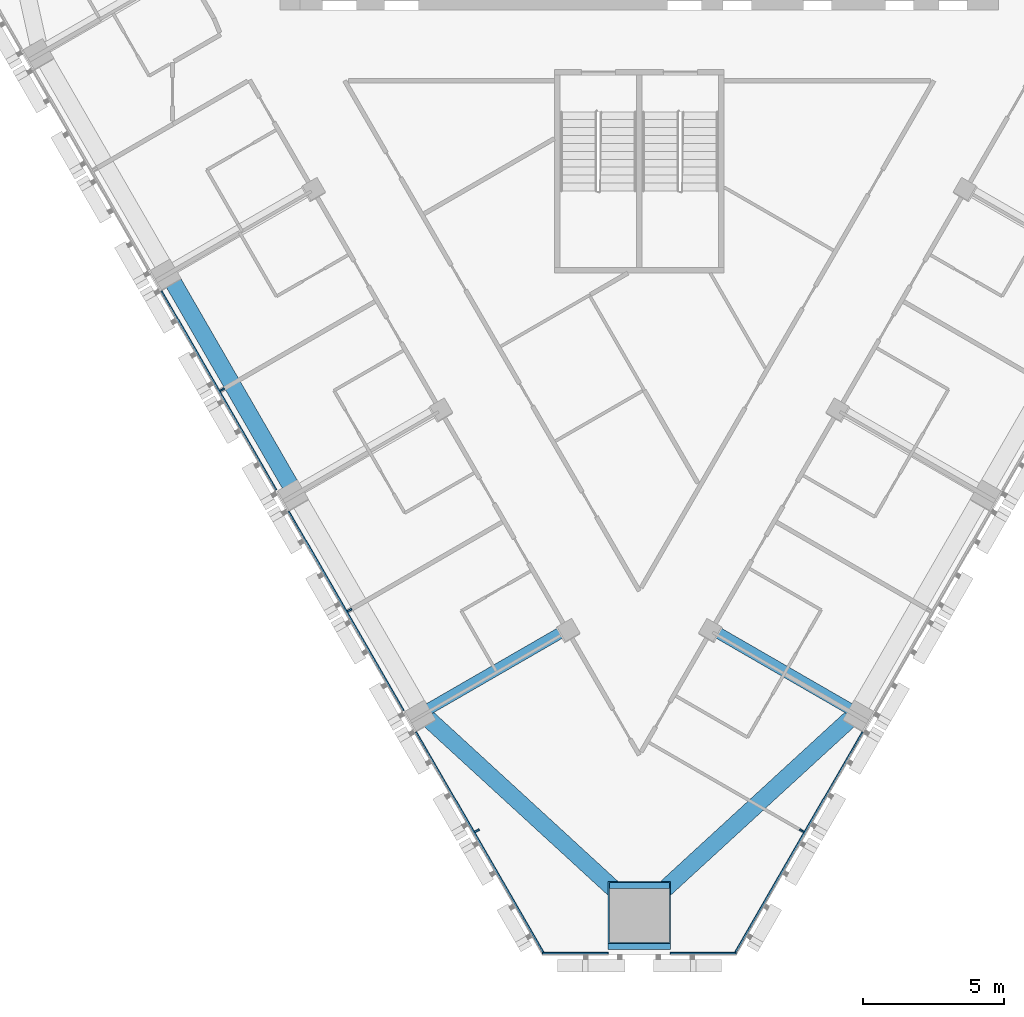
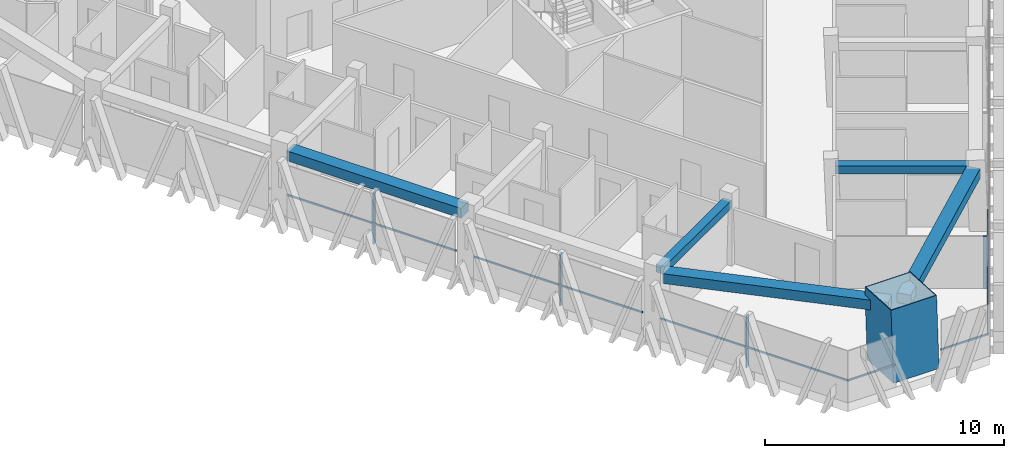
# One storey, part 2 of 16: 11 members, 5 beams, 3 elements without a shape of their own.
"""IFC4 building model written with IfcOpenShell, lengths in metres."""

from ifc_helpers import new_model, si_unit, direction, frame, origin, origin_2d, place, context, subcontext, project, spatial, rectangle, hollow_rectangle, extrude, material, layer, layer_set, material_profile, profile_set, type_object, element, aggregate, save


model = new_model("IFC4")

# Units and contexts
model_context = context("Model", 3, precision=1e-05, world=origin(), true_north=direction((0.0, 1.0)))
body_context = subcontext(model_context, "Body", "Model", "MODEL_VIEW")
ifc_project = project(units=[si_unit("LENGTHUNIT", "METRE"), si_unit("AREAUNIT", "SQUARE_METRE"), si_unit("VOLUMEUNIT", "CUBIC_METRE"), si_unit("PLANEANGLEUNIT", "RADIAN"), si_unit("MASSUNIT", "GRAM", prefix="KILO")], contexts=[model_context])

# Site, building, storey
site_placement = place(None, origin())
site = spatial("IfcSite", under=ifc_project, at=site_placement, CompositionType="ELEMENT")
building_placement = place(site_placement, origin())
building = spatial("IfcBuilding", under=site, at=building_placement, Name="Altiplano Prism Tower", CompositionType="ELEMENT")
storey_placement = place(building_placement, frame((0.0, 0.0, 174.60009765625)))
storey = spatial("IfcBuildingStorey", under=building, at=storey_placement, Name="L45", CompositionType="ELEMENT", Elevation=174.60009765625)

# Curtain wall, members
ifc_material_1 = material(Name="Aluminium and glass", Category="aluminium")
ifc_layer = layer(ifc_material_1, 0.280029296875)
ifc_layer_set = layer_set([ifc_layer], Name="Aluminium and glass")
curtain_wall_type = type_object("IfcCurtainWallType", Name="CW1 typical co-living unitised curtain wall", PredefinedType="NOTDEFINED", material=ifc_layer_set)
curtain_wall_1_placement = place(storey_placement, origin())
curtain_wall_1 = element("IfcCurtainWall", 1, at=curtain_wall_1_placement, inside=storey, type_object=curtain_wall_type, Name="CW1 curtain wall south-west face L45", PredefinedType="NOTDEFINED")
ifc_material_2 = material(Name="Aluminium", Category="aluminium")
ifc_material_profile_1 = material_profile(ifc_material_2, rectangle(XDim=0.179931640625, YDim=0.06494140625, at=origin_2d()), Name="CW1 mullion 65 x 180")
ifc_profile_set_1 = profile_set([ifc_material_profile_1], Name="Aluminium")
member_type_1 = type_object("IfcMemberType", Name="CW1 mullion 65 x 180", PredefinedType="MULLION", material=ifc_profile_set_1)
member_1_placement = place(storey_placement, frame((70.257568359375, 79.275390625, 0.0), z_axis=(0.0, 0.0, 1.0), x_axis=(0.866025407144, 0.499999994181, 0.0)))
member_1 = element("IfcMember", 2, at=member_1_placement, type_object=member_type_1, Name="CW1 mullion", PredefinedType="MULLION", context=body_context, shape_type="SweptSolid", body=[
    extrude(rectangle(XDim=0.179931640625, YDim=0.06494140625, at=origin_2d()), origin(), (0.0, 0.0, 1.0), 2.64990234375),
])
member_2_placement = place(storey_placement, frame((74.757568359375, 71.481201171875, 0.0), z_axis=(0.0, 0.0, 1.0), x_axis=(0.866025407144, 0.499999994181, 0.0)))
member_2 = element("IfcMember", 3, at=member_2_placement, type_object=member_type_1, Name="CW1 mullion", PredefinedType="MULLION", context=body_context, shape_type="SweptSolid", body=[
    extrude(rectangle(XDim=0.179931640625, YDim=0.06494140625, at=origin_2d()), origin(), (0.0, 0.0, 1.0), 2.64990234375),
])
member_3_placement = place(storey_placement, frame((79.257568359375, 63.68701171875, 0.0), z_axis=(0.0, 0.0, 1.0), x_axis=(0.866025407144, 0.499999994181, 0.0)))
member_3 = element("IfcMember", 4, at=member_3_placement, type_object=member_type_1, Name="CW1 mullion", PredefinedType="MULLION", context=body_context, shape_type="SweptSolid", body=[
    extrude(rectangle(XDim=0.179931640625, YDim=0.06494140625, at=origin_2d()), origin(), (0.0, 0.0, 1.0), 2.64990234375),
])

# Curtain wall, member
curtain_wall_2_placement = place(storey_placement, origin())
curtain_wall_2 = element("IfcCurtainWall", 5, at=curtain_wall_2_placement, inside=storey, type_object=curtain_wall_type, Name="CW1 curtain wall south-east face L45", PredefinedType="NOTDEFINED")
member_4_placement = place(storey_placement, frame((90.742431640625, 63.68701171875, 0.0), z_axis=(0.0, 0.0, 1.0), x_axis=(-0.866025407144, 0.499999994181, 0.0)))
member_4 = element("IfcMember", 6, at=member_4_placement, type_object=member_type_1, Name="CW1 mullion", PredefinedType="MULLION", context=body_context, shape_type="SweptSolid", body=[
    extrude(rectangle(XDim=0.179931640625, YDim=0.06494140625, at=origin_2d()), origin(), (0.0, 0.0, 1.0), 2.64990234375),
])

# Member
ifc_material_profile_2 = material_profile(ifc_material_2, rectangle(XDim=0.06005859375, YDim=0.080078125, at=origin_2d()), Name="CW1 transom 80 x 60")
ifc_profile_set_2 = profile_set([ifc_material_profile_2], Name="Aluminium")
member_type_2 = type_object("IfcMemberType", Name="CW1 transom 80 x 60", PredefinedType="USERDEFINED", material=ifc_profile_set_2)
member_5_placement = place(storey_placement, frame((68.10400390625, 82.765625, 1.099853515625), z_axis=(0.499990533176, -0.866030869389, 0.0), x_axis=(0.866030869389, 0.499990533176, 0.0)))
member_5 = element("IfcMember", 7, at=member_5_placement, type_object=member_type_2, Name="CW1 transom", ObjectType="TRANSOM", PredefinedType="USERDEFINED", context=body_context, shape_type="SweptSolid", body=[
    extrude(rectangle(XDim=0.06005859375, YDim=0.080078125, at=origin_2d()), origin(), (0.0, 0.0, 1.0), 8.119873046875),
])

member_6_placement = place(storey_placement, frame((72.60400390625, 74.971435546875, 1.099853515625), z_axis=(0.499977514064, -0.866038385657, 0.0), x_axis=(0.866038385657, 0.499977514064, 0.0)))
member_6 = element("IfcMember", 8, at=member_6_placement, type_object=member_type_2, Name="CW1 transom", ObjectType="TRANSOM", PredefinedType="USERDEFINED", context=body_context, shape_type="SweptSolid", body=[
    extrude(rectangle(XDim=0.06005859375, YDim=0.080078125, at=origin_2d()), origin(), (0.0, 0.0, 1.0), 8.119873046875),
])

member_7_placement = place(storey_placement, frame((77.10400390625, 67.177001953125, 1.099853515625), z_axis=(0.499992768626, -0.86602957878, 0.0), x_axis=(0.86602957878, 0.499992768626, 0.0)))
member_7 = element("IfcMember", 9, at=member_7_placement, type_object=member_type_2, Name="CW1 transom", ObjectType="TRANSOM", PredefinedType="USERDEFINED", context=body_context, shape_type="SweptSolid", body=[
    extrude(rectangle(XDim=0.06005859375, YDim=0.080078125, at=origin_2d()), origin(), (0.0, 0.0, 1.0), 9.069091796875),
])

aggregate(curtain_wall_1, [member_1, member_5, member_2, member_6, member_3, member_7])

# Curtain wall, members
curtain_wall_3_placement = place(storey_placement, origin())
curtain_wall_3 = element("IfcCurtainWall", 10, at=curtain_wall_3_placement, inside=storey, type_object=curtain_wall_type, Name="CW1 curtain wall south chamfer L45", PredefinedType="NOTDEFINED")
member_8_placement = place(storey_placement, frame((81.577880859375, 59.358154296875, 1.099853515625), z_axis=(1.0, 0.0, 0.0), x_axis=(0.0, 1.0, 0.0)))
member_8 = element("IfcMember", 11, at=member_8_placement, type_object=member_type_2, Name="CW1 transom", ObjectType="TRANSOM", PredefinedType="USERDEFINED", context=body_context, shape_type="SweptSolid", body=[
    extrude(rectangle(XDim=0.06005859375, YDim=0.080078125, at=origin_2d()), origin(), (0.0, 0.0, 1.0), 2.322021484375),
])
member_9_placement = place(storey_placement, frame((86.10009765625, 59.358154296875, 1.099853515625), z_axis=(1.0, 0.0, 0.0), x_axis=(0.0, 1.0, 0.0)))
member_9 = element("IfcMember", 12, at=member_9_placement, type_object=member_type_2, Name="CW1 transom", ObjectType="TRANSOM", PredefinedType="USERDEFINED", context=body_context, shape_type="SweptSolid", body=[
    extrude(rectangle(XDim=0.06005859375, YDim=0.080078125, at=origin_2d()), origin(), (0.0, 0.0, 1.0), 2.322021484375),
])
aggregate(curtain_wall_3, [member_8, member_9])

# Member
member_10_placement = place(storey_placement, frame((88.361572265625, 59.322998046875, 1.099853515625), z_axis=(0.499992768626, 0.86602957878, 0.0), x_axis=(-0.86602957878, 0.499992768626, 0.0)))
member_10 = element("IfcMember", 13, at=member_10_placement, type_object=member_type_2, Name="CW1 transom", ObjectType="TRANSOM", PredefinedType="USERDEFINED", context=body_context, shape_type="SweptSolid", body=[
    extrude(rectangle(XDim=0.06005859375, YDim=0.080078125, at=origin_2d()), origin(), (0.0, 0.0, 1.0), 9.069091796875),
])

aggregate(curtain_wall_2, [member_4, member_10])

# Beams
ifc_material_3 = material(Name="Concrete C60/75", Category="concrete")
ifc_material_profile_3 = material_profile(ifc_material_3, rectangle(XDim=0.60009765625, YDim=0.5, at=origin_2d()), Name="Edge beam 600x500")
ifc_profile_set_3 = profile_set([ifc_material_profile_3], Name="Concrete C60/75")
beam_type_1 = type_object("IfcBeamType", Name="Edge beam 600x500", PredefinedType="SPANDREL", material=ifc_profile_set_3)
beam_placement = place(storey_placement, frame((68.45263671875, 83.198486328125, 2.89990234375), z_axis=(0.500027935199, -0.866009274789, 0.0), x_axis=(0.866009274789, 0.500027935199, 0.0)))
element("IfcBeam", 14, at=beam_placement, inside=storey, type_object=beam_type_1, Name="Edge beam P12-P13 L46", PredefinedType="SPANDREL", context=body_context, shape_type="SweptSolid", body=[
    extrude(rectangle(XDim=0.60009765625, YDim=0.5, at=origin_2d()), origin(), (0.0, 0.0, 1.0), 8.43994140625),
])
for number, where, z_axis, x_axis, name in (
    (15, (77.533203125, 67.650146484375, 2.89990234375), (0.736808704542, -0.676101274153, 0.0), (0.676101274153, 0.736808704542, 0.0), "Edge beam P14-M1 L46"),
    (16, (85.33154296875, 61.102783203125, 2.89990234375), (0.736808704542, 0.676101274153, 0.0), (-0.676101274153, 0.736808704542, 0.0), "Edge beam M1-P21 L46"),
):
    element("IfcBeam", number, at=place(storey_placement, frame(where, z_axis=z_axis, x_axis=x_axis)), inside=storey, type_object=beam_type_1, Name=name, PredefinedType="SPANDREL", context=body_context, shape_type="SweptSolid", body=[
        extrude(rectangle(XDim=0.60009765625, YDim=0.5, at=origin_2d()), origin(), (0.0, 0.0, 1.0), 9.68408203125),
    ])

# Member
ifc_material_4 = material(Name="Steel S460", Category="steel")
ifc_material_profile_4 = material_profile(ifc_material_4, hollow_rectangle(XDim=2.199951171875, YDim=2.199951171875, WallThickness=0.0400390625, at=origin_2d()), Name="Mega column tube 2200")
ifc_profile_set_4 = profile_set([ifc_material_profile_4], Name="Steel S460")
member_type_3 = type_object("IfcMemberType", Name="Mega column tube 2200", PredefinedType="POST", material=ifc_profile_set_4)
member_11_placement = place(storey_placement, frame((85.0, 60.588134765625, 0.0), z_axis=(0.0, 0.058360852261, 0.998295552892), x_axis=(-1.0, 0.0, 0.0)))
element("IfcMember", 17, at=member_11_placement, inside=storey, type_object=member_type_3, Name="Mega column tube M1 L45", PredefinedType="POST", context=body_context, shape_type="SweptSolid", body=[
    extrude(hollow_rectangle(XDim=2.199951171875, YDim=2.199951171875, WallThickness=0.0400390625, at=origin_2d()), origin(), (0.0, 0.0, 1.0), 3.60595703125),
])

# Beams
ifc_material_profile_5 = material_profile(ifc_material_3, rectangle(XDim=0.39990234375, YDim=0.39990234375, at=origin_2d()), Name="Tie beam 400x400")
ifc_profile_set_5 = profile_set([ifc_material_profile_5], Name="Concrete C60/75")
beam_type_2 = type_object("IfcBeamType", Name="Tie beam 400x400", PredefinedType="BEAM", material=ifc_profile_set_5)
for number, where, z_axis, x_axis, name in (
    (18, (82.396240234375, 70.78759765625, 2.949951171875), (-0.866030670444, -0.499990877767, 0.0), (0.499990877767, -0.866030670444, 0.0), "Tie beam I14 L46"),
    (19, (87.603759765625, 70.78759765625, 2.949951171875), (0.866030670444, -0.499990877767, 0.0), (0.499990877767, 0.866030670444, 0.0), "Tie beam I21 L46"),
):
    element("IfcBeam", number, at=place(storey_placement, frame(where, z_axis=z_axis, x_axis=x_axis)), inside=storey, type_object=beam_type_2, Name=name, PredefinedType="BEAM", context=body_context, shape_type="SweptSolid", body=[
        extrude(rectangle(XDim=0.39990234375, YDim=0.39990234375, at=origin_2d()), origin(), (0.0, 0.0, 1.0), 5.58984375),
    ])

save(model, "model.ifc")
